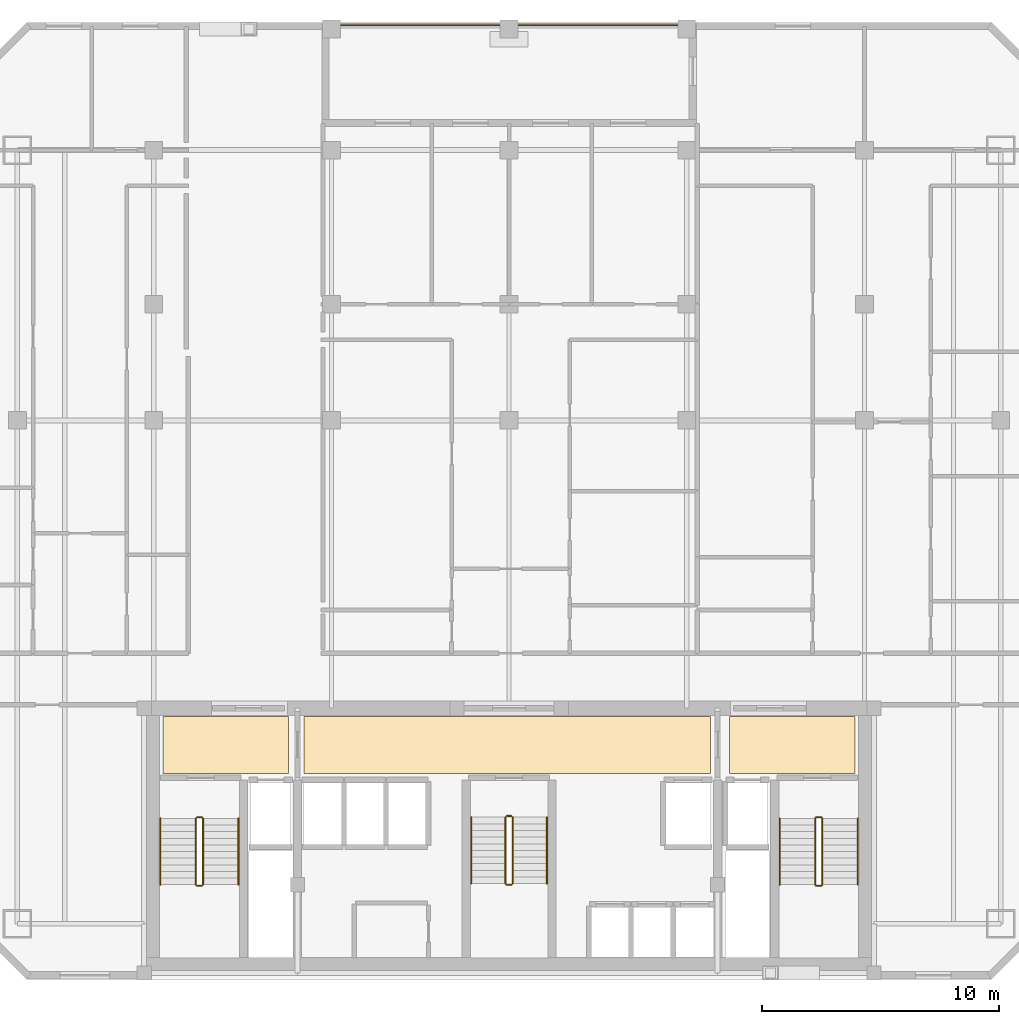
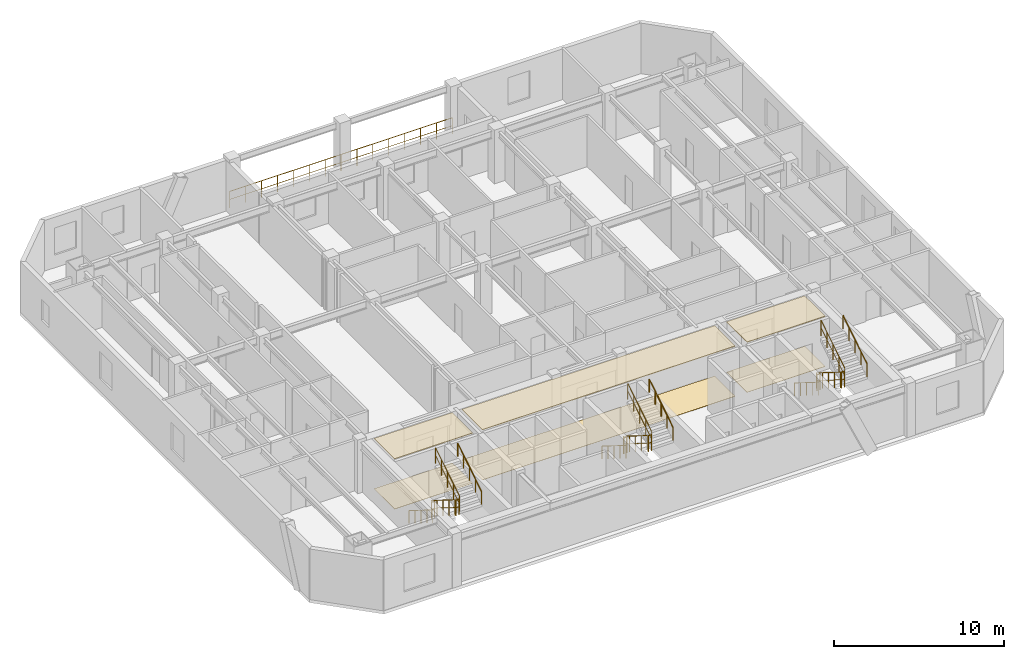
# One storey, part 8 of 8: 19 railings, 6 coverings.
"""IFC4 building model written with IfcOpenShell, lengths in metres."""

from ifc_helpers import new_model, si_unit, direction, frame, origin, origin_2d, place, context, subcontext, project, spatial, polyline, circle, outline, extrude, material, layer, layer_set, type_object, element, save


model = new_model("IFC4")

# Units and contexts
model_context = context("Model", 3, precision=1e-05, world=origin(), true_north=direction((0.0, 1.0)))
body_context = subcontext(model_context, "Body", "Model", "MODEL_VIEW")
ifc_project = project(units=[si_unit("LENGTHUNIT", "METRE"), si_unit("AREAUNIT", "SQUARE_METRE"), si_unit("VOLUMEUNIT", "CUBIC_METRE"), si_unit("PLANEANGLEUNIT", "RADIAN"), si_unit("MASSUNIT", "GRAM", prefix="KILO")], contexts=[model_context])

# Site, building, storey
site_placement = place(None, origin())
site = spatial("IfcSite", under=ifc_project, at=site_placement, CompositionType="ELEMENT")
building_placement = place(site_placement, origin())
building = spatial("IfcBuilding", under=site, at=building_placement, Name="Ventersveld Concourse Tower", CompositionType="ELEMENT")
storey_placement = place(building_placement, frame((0.0, 0.0, 192.60009765625)))
storey = spatial("IfcBuildingStorey", under=building, at=storey_placement, Name="L47", CompositionType="ELEMENT", Elevation=192.60009765625)

# Coverings
ifc_material_1 = material(Name="Mineral-fibre acoustic ceiling tile", Category="gypsum")
ifc_layer_1 = layer(ifc_material_1, 0.0400390625)
ifc_layer_set_1 = layer_set([ifc_layer_1], Name="Mineral-fibre acoustic ceiling tile")
covering_type_1 = type_object("IfcCoveringType", Name="COV-CEIL-ACOUSTIC", PredefinedType="CEILING", material=ifc_layer_set_1)
covering_1_placement = place(storey_placement, frame((0.0, 0.0, 3.58984375)))
element("IfcCovering", 1, at=covering_1_placement, inside=storey, type_object=covering_type_1, Name="L47 North Lift Lobby Acoustic Ceiling", PredefinedType="CEILING", context=body_context, shape_type="SweptSolid", body=[
    extrude(outline(polyline([(20.10009765625, 8.699951171875), (37.25, 8.699951171875), (37.25, 11.10009765625), (20.10009765625, 11.10009765625), (20.10009765625, 8.699951171875)])), origin(), (0.0, 0.0, 1.0), 0.0400390625),
])
covering_2_placement = place(storey_placement, frame((0.0, 0.0, 3.58984375)))
element("IfcCovering", 2, at=covering_2_placement, inside=storey, type_object=covering_type_1, Name="L47 West Firefighting Lobby Acoustic Ceiling", PredefinedType="CEILING", context=body_context, shape_type="SweptSolid", body=[
    extrude(outline(polyline([(14.14990234375, 8.699951171875), (19.449951171875, 8.699951171875), (19.449951171875, 11.10009765625), (14.14990234375, 11.10009765625), (14.14990234375, 8.699951171875)])), origin(), (0.0, 0.0, 1.0), 0.0400390625),
])
covering_3_placement = place(storey_placement, frame((0.0, 0.0, 3.58984375)))
element("IfcCovering", 3, at=covering_3_placement, inside=storey, type_object=covering_type_1, Name="L47 East Firefighting Lobby Acoustic Ceiling", PredefinedType="CEILING", context=body_context, shape_type="SweptSolid", body=[
    extrude(outline(polyline([(38.050048828125, 8.699951171875), (43.35009765625, 8.699951171875), (43.35009765625, 11.10009765625), (38.050048828125, 11.10009765625), (38.050048828125, 8.699951171875)])), origin(), (0.0, 0.0, 1.0), 0.0400390625),
])
ifc_material_2 = material(Name="Polished Highveld granite terrazzo", Category="masonry")
ifc_layer_2 = layer(ifc_material_2, 0.02001953125)
ifc_layer_set_2 = layer_set([ifc_layer_2], Name="Polished Highveld granite terrazzo")
covering_type_2 = type_object("IfcCoveringType", Name="COV-FLOOR-TERRAZZO", PredefinedType="FLOORING", material=ifc_layer_set_2)
covering_4_placement = place(storey_placement, origin())
element("IfcCovering", 4, at=covering_4_placement, inside=storey, type_object=covering_type_2, Name="L47 North Lift Lobby Terrazzo Flooring", PredefinedType="FLOORING", context=body_context, shape_type="SweptSolid", body=[
    extrude(outline(polyline([(20.10009765625, 8.699951171875), (37.25, 8.699951171875), (37.25, 11.10009765625), (20.10009765625, 11.10009765625), (20.10009765625, 8.699951171875)])), origin(), (0.0, 0.0, 1.0), 0.02001953125),
])
covering_5_placement = place(storey_placement, origin())
element("IfcCovering", 5, at=covering_5_placement, inside=storey, type_object=covering_type_2, Name="L47 West Firefighting Lobby Terrazzo Flooring", PredefinedType="FLOORING", context=body_context, shape_type="SweptSolid", body=[
    extrude(outline(polyline([(14.14990234375, 8.699951171875), (19.449951171875, 8.699951171875), (19.449951171875, 11.10009765625), (14.14990234375, 11.10009765625), (14.14990234375, 8.699951171875)])), origin(), (0.0, 0.0, 1.0), 0.02001953125),
])
covering_6_placement = place(storey_placement, origin())
element("IfcCovering", 6, at=covering_6_placement, inside=storey, type_object=covering_type_2, Name="L47 East Firefighting Lobby Terrazzo Flooring", PredefinedType="FLOORING", context=body_context, shape_type="SweptSolid", body=[
    extrude(outline(polyline([(38.050048828125, 8.699951171875), (43.35009765625, 8.699951171875), (43.35009765625, 11.10009765625), (38.050048828125, 11.10009765625), (38.050048828125, 8.699951171875)])), origin(), (0.0, 0.0, 1.0), 0.02001953125),
])

# Railings
ifc_material_3 = material(Name="Brushed stainless steel 316", Category="steel")
railing_type_1 = type_object("IfcRailingType", Name="GD-BAL-115", PredefinedType="GUARDRAIL", material=ifc_material_3)
railing_1_placement = place(storey_placement, frame((15.530029296875, 6.800048828125, 0.1748046875)))
element("IfcRailing", 7, at=railing_1_placement, inside=storey, type_object=railing_type_1, Name="L47 ST-01 stair guard 1", PredefinedType="GUARDRAIL", context=body_context, shape_type="SweptSolid", body=[
    extrude(circle(Radius=0.02392578125, at=origin_2d()), frame((0.0, 0.0, 1.1259765625), z_axis=(0.0, -0.848002457836, 0.529992293815), x_axis=(1.0, 0.0, 0.0)), (0.0, 0.0, 1.0), 3.302001953125),
    extrude(circle(Radius=0.01611328125, at=origin_2d()), frame((0.0, 0.0, 0.574951171875), z_axis=(0.0, -0.848002457836, 0.529992293815), x_axis=(1.0, 0.0, 0.0)), (0.0, 0.0, 1.0), 3.302001953125),
    extrude(circle(Radius=0.02099609375, at=origin_2d()), origin(), (0.0, 0.0, 1.0), 1.101806640625),
    extrude(circle(Radius=0.02099609375, at=origin_2d()), frame((0.0, -0.699951171875, 0.4375)), (0.0, 0.0, 1.0), 1.101806640625),
    extrude(circle(Radius=0.02099609375, at=origin_2d()), frame((0.0, -1.39990234375, 0.875)), (0.0, 0.0, 1.0), 1.101806640625),
    extrude(circle(Radius=0.02099609375, at=origin_2d()), frame((0.0, -2.10009765625, 1.3125)), (0.0, 0.0, 1.0), 1.101806640625),
    extrude(circle(Radius=0.02099609375, at=origin_2d()), frame((0.0, -2.800048828125, 1.75)), (0.0, 0.0, 1.0), 1.101806640625),
])
railing_2_placement = place(storey_placement, frame((15.580078125, 3.949951171875, 1.9248046875)))
element("IfcRailing", 8, at=railing_2_placement, inside=storey, type_object=railing_type_1, Name="L47 ST-01 stair guard 2", PredefinedType="GUARDRAIL", context=body_context, shape_type="SweptSolid", body=[
    extrude(circle(Radius=0.02392578125, at=origin_2d()), frame((0.0, 0.0, 1.1259765625), z_axis=(1.0, 0.0, 0.0), x_axis=(0.0, 1.0, 0.0)), (0.0, 0.0, 1.0), 0.199951171875),
    extrude(circle(Radius=0.01611328125, at=origin_2d()), frame((0.0, 0.0, 0.574951171875), z_axis=(1.0, 0.0, 0.0), x_axis=(0.0, 1.0, 0.0)), (0.0, 0.0, 1.0), 0.199951171875),
    extrude(circle(Radius=0.02099609375, at=origin_2d()), origin(), (0.0, 0.0, 1.0), 1.101806640625),
    extrude(circle(Radius=0.02099609375, at=origin_2d()), frame((0.199951171875, 0.0, 0.0)), (0.0, 0.0, 1.0), 1.101806640625),
])
railing_3_placement = place(storey_placement, frame((15.830078125, 4.0, 2.099853515625)))
element("IfcRailing", 9, at=railing_3_placement, inside=storey, type_object=railing_type_1, Name="L47 ST-01 stair guard 3", PredefinedType="GUARDRAIL", context=body_context, shape_type="SweptSolid", body=[
    extrude(circle(Radius=0.02392578125, at=origin_2d()), frame((0.0, 0.0, 1.1259765625), z_axis=(0.0, 0.848002457836, 0.529992293815), x_axis=(-1.0, 0.0, 0.0)), (0.0, 0.0, 1.0), 3.302001953125),
    extrude(circle(Radius=0.01611328125, at=origin_2d()), frame((0.0, 0.0, 0.574951171875), z_axis=(0.0, 0.848002457836, 0.529992293815), x_axis=(-1.0, 0.0, 0.0)), (0.0, 0.0, 1.0), 3.302001953125),
    extrude(circle(Radius=0.02099609375, at=origin_2d()), origin(), (0.0, 0.0, 1.0), 1.101806640625),
    extrude(circle(Radius=0.02099609375, at=origin_2d()), frame((0.0, 0.699951171875, 0.4375)), (0.0, 0.0, 1.0), 1.101806640625),
    extrude(circle(Radius=0.02099609375, at=origin_2d()), frame((0.0, 1.39990234375, 0.875)), (0.0, 0.0, 1.0), 1.101806640625),
    extrude(circle(Radius=0.02099609375, at=origin_2d()), frame((0.0, 2.10009765625, 1.3125)), (0.0, 0.0, 1.0), 1.101806640625),
    extrude(circle(Radius=0.02099609375, at=origin_2d()), frame((0.0, 2.800048828125, 1.75)), (0.0, 0.0, 1.0), 1.101806640625),
])
railing_4_placement = place(storey_placement, frame((15.580078125, 6.85009765625, 0.0)))
element("IfcRailing", 10, at=railing_4_placement, inside=storey, type_object=railing_type_1, Name="L47 ST-01 stair guard 4", PredefinedType="GUARDRAIL", context=body_context, shape_type="SweptSolid", body=[
    extrude(circle(Radius=0.02392578125, at=origin_2d()), frame((0.0, 0.0, 1.1259765625), z_axis=(1.0, 0.0, 0.0), x_axis=(0.0, 1.0, 0.0)), (0.0, 0.0, 1.0), 0.199951171875),
    extrude(circle(Radius=0.01611328125, at=origin_2d()), frame((0.0, 0.0, 0.574951171875), z_axis=(1.0, 0.0, 0.0), x_axis=(0.0, 1.0, 0.0)), (0.0, 0.0, 1.0), 0.199951171875),
    extrude(circle(Radius=0.02099609375, at=origin_2d()), origin(), (0.0, 0.0, 1.0), 1.101806640625),
    extrude(circle(Radius=0.02099609375, at=origin_2d()), frame((0.199951171875, 0.0, 0.0)), (0.0, 0.0, 1.0), 1.101806640625),
])
railing_5_placement = place(storey_placement, frame((41.669921875, 6.800048828125, 0.1748046875)))
element("IfcRailing", 11, at=railing_5_placement, inside=storey, type_object=railing_type_1, Name="L47 ST-02 stair guard 1", PredefinedType="GUARDRAIL", context=body_context, shape_type="SweptSolid", body=[
    extrude(circle(Radius=0.02392578125, at=origin_2d()), frame((0.0, 0.0, 1.1259765625), z_axis=(0.0, -0.848002457836, 0.529992293815), x_axis=(1.0, 0.0, 0.0)), (0.0, 0.0, 1.0), 3.302001953125),
    extrude(circle(Radius=0.01611328125, at=origin_2d()), frame((0.0, 0.0, 0.574951171875), z_axis=(0.0, -0.848002457836, 0.529992293815), x_axis=(1.0, 0.0, 0.0)), (0.0, 0.0, 1.0), 3.302001953125),
    extrude(circle(Radius=0.02099609375, at=origin_2d()), origin(), (0.0, 0.0, 1.0), 1.101806640625),
    extrude(circle(Radius=0.02099609375, at=origin_2d()), frame((0.0, -0.699951171875, 0.4375)), (0.0, 0.0, 1.0), 1.101806640625),
    extrude(circle(Radius=0.02099609375, at=origin_2d()), frame((0.0, -1.39990234375, 0.875)), (0.0, 0.0, 1.0), 1.101806640625),
    extrude(circle(Radius=0.02099609375, at=origin_2d()), frame((0.0, -2.10009765625, 1.3125)), (0.0, 0.0, 1.0), 1.101806640625),
    extrude(circle(Radius=0.02099609375, at=origin_2d()), frame((0.0, -2.800048828125, 1.75)), (0.0, 0.0, 1.0), 1.101806640625),
])
railing_6_placement = place(storey_placement, frame((41.719970703125, 3.949951171875, 1.9248046875)))
element("IfcRailing", 12, at=railing_6_placement, inside=storey, type_object=railing_type_1, Name="L47 ST-02 stair guard 2", PredefinedType="GUARDRAIL", context=body_context, shape_type="SweptSolid", body=[
    extrude(circle(Radius=0.02392578125, at=origin_2d()), frame((0.0, 0.0, 1.1259765625), z_axis=(1.0, 0.0, 0.0), x_axis=(0.0, 1.0, 0.0)), (0.0, 0.0, 1.0), 0.199951171875),
    extrude(circle(Radius=0.01611328125, at=origin_2d()), frame((0.0, 0.0, 0.574951171875), z_axis=(1.0, 0.0, 0.0), x_axis=(0.0, 1.0, 0.0)), (0.0, 0.0, 1.0), 0.199951171875),
    extrude(circle(Radius=0.02099609375, at=origin_2d()), origin(), (0.0, 0.0, 1.0), 1.101806640625),
    extrude(circle(Radius=0.02099609375, at=origin_2d()), frame((0.199951171875, 0.0, 0.0)), (0.0, 0.0, 1.0), 1.101806640625),
])
railing_7_placement = place(storey_placement, frame((41.969970703125, 4.0, 2.099853515625)))
element("IfcRailing", 13, at=railing_7_placement, inside=storey, type_object=railing_type_1, Name="L47 ST-02 stair guard 3", PredefinedType="GUARDRAIL", context=body_context, shape_type="SweptSolid", body=[
    extrude(circle(Radius=0.02392578125, at=origin_2d()), frame((0.0, 0.0, 1.1259765625), z_axis=(0.0, 0.848002457836, 0.529992293815), x_axis=(-1.0, 0.0, 0.0)), (0.0, 0.0, 1.0), 3.302001953125),
    extrude(circle(Radius=0.01611328125, at=origin_2d()), frame((0.0, 0.0, 0.574951171875), z_axis=(0.0, 0.848002457836, 0.529992293815), x_axis=(-1.0, 0.0, 0.0)), (0.0, 0.0, 1.0), 3.302001953125),
    extrude(circle(Radius=0.02099609375, at=origin_2d()), origin(), (0.0, 0.0, 1.0), 1.101806640625),
    extrude(circle(Radius=0.02099609375, at=origin_2d()), frame((0.0, 0.699951171875, 0.4375)), (0.0, 0.0, 1.0), 1.101806640625),
    extrude(circle(Radius=0.02099609375, at=origin_2d()), frame((0.0, 1.39990234375, 0.875)), (0.0, 0.0, 1.0), 1.101806640625),
    extrude(circle(Radius=0.02099609375, at=origin_2d()), frame((0.0, 2.10009765625, 1.3125)), (0.0, 0.0, 1.0), 1.101806640625),
    extrude(circle(Radius=0.02099609375, at=origin_2d()), frame((0.0, 2.800048828125, 1.75)), (0.0, 0.0, 1.0), 1.101806640625),
])
railing_8_placement = place(storey_placement, frame((41.719970703125, 6.85009765625, 0.0)))
element("IfcRailing", 14, at=railing_8_placement, inside=storey, type_object=railing_type_1, Name="L47 ST-02 stair guard 4", PredefinedType="GUARDRAIL", context=body_context, shape_type="SweptSolid", body=[
    extrude(circle(Radius=0.02392578125, at=origin_2d()), frame((0.0, 0.0, 1.1259765625), z_axis=(1.0, 0.0, 0.0), x_axis=(0.0, 1.0, 0.0)), (0.0, 0.0, 1.0), 0.199951171875),
    extrude(circle(Radius=0.01611328125, at=origin_2d()), frame((0.0, 0.0, 0.574951171875), z_axis=(1.0, 0.0, 0.0), x_axis=(0.0, 1.0, 0.0)), (0.0, 0.0, 1.0), 0.199951171875),
    extrude(circle(Radius=0.02099609375, at=origin_2d()), origin(), (0.0, 0.0, 1.0), 1.101806640625),
    extrude(circle(Radius=0.02099609375, at=origin_2d()), frame((0.199951171875, 0.0, 0.0)), (0.0, 0.0, 1.0), 1.101806640625),
])
railing_9_placement = place(storey_placement, frame((28.60009765625, 6.85009765625, 0.1748046875)))
element("IfcRailing", 15, at=railing_9_placement, inside=storey, type_object=railing_type_1, Name="L47 ST-03 stair guard 1", PredefinedType="GUARDRAIL", context=body_context, shape_type="SweptSolid", body=[
    extrude(circle(Radius=0.02392578125, at=origin_2d()), frame((0.0, 0.0, 1.1259765625), z_axis=(0.0, -0.848002457836, 0.529992293815), x_axis=(1.0, 0.0, 0.0)), (0.0, 0.0, 1.0), 3.302001953125),
    extrude(circle(Radius=0.01611328125, at=origin_2d()), frame((0.0, 0.0, 0.574951171875), z_axis=(0.0, -0.848002457836, 0.529992293815), x_axis=(1.0, 0.0, 0.0)), (0.0, 0.0, 1.0), 3.302001953125),
    extrude(circle(Radius=0.02099609375, at=origin_2d()), origin(), (0.0, 0.0, 1.0), 1.101806640625),
    extrude(circle(Radius=0.02099609375, at=origin_2d()), frame((0.0, -0.699951171875, 0.4375)), (0.0, 0.0, 1.0), 1.101806640625),
    extrude(circle(Radius=0.02099609375, at=origin_2d()), frame((0.0, -1.39990234375, 0.875)), (0.0, 0.0, 1.0), 1.101806640625),
    extrude(circle(Radius=0.02099609375, at=origin_2d()), frame((0.0, -2.10009765625, 1.3125)), (0.0, 0.0, 1.0), 1.101806640625),
    extrude(circle(Radius=0.02099609375, at=origin_2d()), frame((0.0, -2.800048828125, 1.75)), (0.0, 0.0, 1.0), 1.101806640625),
])
railing_10_placement = place(storey_placement, frame((28.64990234375, 4.0, 1.9248046875)))
element("IfcRailing", 16, at=railing_10_placement, inside=storey, type_object=railing_type_1, Name="L47 ST-03 stair guard 2", PredefinedType="GUARDRAIL", context=body_context, shape_type="SweptSolid", body=[
    extrude(circle(Radius=0.02392578125, at=origin_2d()), frame((0.0, 0.0, 1.1259765625), z_axis=(1.0, 0.0, 0.0), x_axis=(0.0, 1.0, 0.0)), (0.0, 0.0, 1.0), 0.2001953125),
    extrude(circle(Radius=0.01611328125, at=origin_2d()), frame((0.0, 0.0, 0.574951171875), z_axis=(1.0, 0.0, 0.0), x_axis=(0.0, 1.0, 0.0)), (0.0, 0.0, 1.0), 0.2001953125),
    extrude(circle(Radius=0.02099609375, at=origin_2d()), origin(), (0.0, 0.0, 1.0), 1.101806640625),
    extrude(circle(Radius=0.02099609375, at=origin_2d()), frame((0.2001953125, 0.0, 0.0)), (0.0, 0.0, 1.0), 1.101806640625),
])
railing_11_placement = place(storey_placement, frame((28.89990234375, 4.050048828125, 2.099853515625)))
element("IfcRailing", 17, at=railing_11_placement, inside=storey, type_object=railing_type_1, Name="L47 ST-03 stair guard 3", PredefinedType="GUARDRAIL", context=body_context, shape_type="SweptSolid", body=[
    extrude(circle(Radius=0.02392578125, at=origin_2d()), frame((0.0, 0.0, 1.1259765625), z_axis=(0.0, 0.848002457836, 0.529992293815), x_axis=(-1.0, 0.0, 0.0)), (0.0, 0.0, 1.0), 3.302001953125),
    extrude(circle(Radius=0.01611328125, at=origin_2d()), frame((0.0, 0.0, 0.574951171875), z_axis=(0.0, 0.848002457836, 0.529992293815), x_axis=(-1.0, 0.0, 0.0)), (0.0, 0.0, 1.0), 3.302001953125),
    extrude(circle(Radius=0.02099609375, at=origin_2d()), origin(), (0.0, 0.0, 1.0), 1.101806640625),
    extrude(circle(Radius=0.02099609375, at=origin_2d()), frame((0.0, 0.699951171875, 0.4375)), (0.0, 0.0, 1.0), 1.101806640625),
    extrude(circle(Radius=0.02099609375, at=origin_2d()), frame((0.0, 1.39990234375, 0.875)), (0.0, 0.0, 1.0), 1.101806640625),
    extrude(circle(Radius=0.02099609375, at=origin_2d()), frame((0.0, 2.10009765625, 1.3125)), (0.0, 0.0, 1.0), 1.101806640625),
    extrude(circle(Radius=0.02099609375, at=origin_2d()), frame((0.0, 2.800048828125, 1.75)), (0.0, 0.0, 1.0), 1.101806640625),
])
railing_12_placement = place(storey_placement, frame((28.64990234375, 6.89990234375, 0.0)))
element("IfcRailing", 18, at=railing_12_placement, inside=storey, type_object=railing_type_1, Name="L47 ST-03 stair guard 4", PredefinedType="GUARDRAIL", context=body_context, shape_type="SweptSolid", body=[
    extrude(circle(Radius=0.02392578125, at=origin_2d()), frame((0.0, 0.0, 1.1259765625), z_axis=(1.0, 0.0, 0.0), x_axis=(0.0, 1.0, 0.0)), (0.0, 0.0, 1.0), 0.2001953125),
    extrude(circle(Radius=0.01611328125, at=origin_2d()), frame((0.0, 0.0, 0.574951171875), z_axis=(1.0, 0.0, 0.0), x_axis=(0.0, 1.0, 0.0)), (0.0, 0.0, 1.0), 0.2001953125),
    extrude(circle(Radius=0.02099609375, at=origin_2d()), origin(), (0.0, 0.0, 1.0), 1.101806640625),
    extrude(circle(Radius=0.02099609375, at=origin_2d()), frame((0.2001953125, 0.0, 0.0)), (0.0, 0.0, 1.0), 1.101806640625),
])
railing_type_2 = type_object("IfcRailingType", Name="GD-TER-120", PredefinedType="GUARDRAIL", material=ifc_material_3)
railing_13_placement = place(storey_placement, frame((21.199951171875, 40.280029296875, 0.0)))
element("IfcRailing", 19, at=railing_13_placement, inside=storey, type_object=railing_type_2, Name="L47 Outdoor Terrace Guardrail NOTCH-N", PredefinedType="GUARDRAIL", context=body_context, shape_type="SweptSolid", body=[
    extrude(circle(Radius=0.02392578125, at=origin_2d()), frame((0.0, 0.0, 1.17578125), z_axis=(1.0, 0.0, 0.0), x_axis=(0.0, 1.0, 0.0)), (0.0, 0.0, 1.0), 15.10009765625),
    extrude(circle(Radius=0.01611328125, at=origin_2d()), frame((0.0, 0.0, 0.60009765625), z_axis=(1.0, 0.0, 0.0), x_axis=(0.0, 1.0, 0.0)), (0.0, 0.0, 1.0), 15.10009765625),
    extrude(circle(Radius=0.02099609375, at=origin_2d()), origin(), (0.0, 0.0, 1.0), 1.15185546875),
    extrude(circle(Radius=0.02099609375, at=origin_2d()), frame((1.07861328125, 0.0, 0.0)), (0.0, 0.0, 1.0), 1.15185546875),
    extrude(circle(Radius=0.02099609375, at=origin_2d()), frame((2.1572265625, 0.0, 0.0)), (0.0, 0.0, 1.0), 1.15185546875),
    extrude(circle(Radius=0.02099609375, at=origin_2d()), frame((3.23583984375, 0.0, 0.0)), (0.0, 0.0, 1.0), 1.15185546875),
    extrude(circle(Radius=0.02099609375, at=origin_2d()), frame((4.314208984375, 0.0, 0.0)), (0.0, 0.0, 1.0), 1.15185546875),
    extrude(circle(Radius=0.02099609375, at=origin_2d()), frame((5.392822265625, 0.0, 0.0)), (0.0, 0.0, 1.0), 1.15185546875),
    extrude(circle(Radius=0.02099609375, at=origin_2d()), frame((6.471435546875, 0.0, 0.0)), (0.0, 0.0, 1.0), 1.15185546875),
    extrude(circle(Radius=0.02099609375, at=origin_2d()), frame((7.550048828125, 0.0, 0.0)), (0.0, 0.0, 1.0), 1.15185546875),
    extrude(circle(Radius=0.02099609375, at=origin_2d()), frame((8.628662109375, 0.0, 0.0)), (0.0, 0.0, 1.0), 1.15185546875),
    extrude(circle(Radius=0.02099609375, at=origin_2d()), frame((9.707275390625, 0.0, 0.0)), (0.0, 0.0, 1.0), 1.15185546875),
    extrude(circle(Radius=0.02099609375, at=origin_2d()), frame((10.785888671875, 0.0, 0.0)), (0.0, 0.0, 1.0), 1.15185546875),
    extrude(circle(Radius=0.02099609375, at=origin_2d()), frame((11.8642578125, 0.0, 0.0)), (0.0, 0.0, 1.0), 1.15185546875),
    extrude(circle(Radius=0.02099609375, at=origin_2d()), frame((12.94287109375, 0.0, 0.0)), (0.0, 0.0, 1.0), 1.15185546875),
    extrude(circle(Radius=0.02099609375, at=origin_2d()), frame((14.021484375, 0.0, 0.0)), (0.0, 0.0, 1.0), 1.15185546875),
    extrude(circle(Radius=0.02099609375, at=origin_2d()), frame((15.10009765625, 0.0, 0.0)), (0.0, 0.0, 1.0), 1.15185546875),
])
railing_type_3 = type_object("IfcRailingType", Name="HR-RMP-095", PredefinedType="HANDRAIL", material=ifc_material_3)
railing_14_placement = place(storey_placement, frame((14.030029296875, 6.800048828125, 0.1748046875)))
element("IfcRailing", 20, at=railing_14_placement, inside=storey, type_object=railing_type_3, Name="L47 ST-01 stair handrail 1", PredefinedType="HANDRAIL", context=body_context, shape_type="SweptSolid", body=[
    extrude(circle(Radius=0.02392578125, at=origin_2d()), frame((0.0, 0.0, 0.92578125), z_axis=(0.0, -0.848002457836, 0.529992293815), x_axis=(1.0, 0.0, 0.0)), (0.0, 0.0, 1.0), 3.302001953125),
    extrude(circle(Radius=0.02099609375, at=origin_2d()), origin(), (0.0, 0.0, 1.0), 0.90185546875),
    extrude(circle(Radius=0.02099609375, at=origin_2d()), frame((0.0, -0.699951171875, 0.4375)), (0.0, 0.0, 1.0), 0.90185546875),
    extrude(circle(Radius=0.02099609375, at=origin_2d()), frame((0.0, -1.39990234375, 0.875)), (0.0, 0.0, 1.0), 0.90185546875),
    extrude(circle(Radius=0.02099609375, at=origin_2d()), frame((0.0, -2.10009765625, 1.3125)), (0.0, 0.0, 1.0), 0.90185546875),
    extrude(circle(Radius=0.02099609375, at=origin_2d()), frame((0.0, -2.800048828125, 1.75)), (0.0, 0.0, 1.0), 0.90185546875),
])
railing_15_placement = place(storey_placement, frame((17.330078125, 4.0, 2.099853515625)))
element("IfcRailing", 21, at=railing_15_placement, inside=storey, type_object=railing_type_3, Name="L47 ST-01 stair handrail 2", PredefinedType="HANDRAIL", context=body_context, shape_type="SweptSolid", body=[
    extrude(circle(Radius=0.02392578125, at=origin_2d()), frame((0.0, 0.0, 0.92578125), z_axis=(0.0, 0.848002457836, 0.529992293815), x_axis=(-1.0, 0.0, 0.0)), (0.0, 0.0, 1.0), 3.302001953125),
    extrude(circle(Radius=0.02099609375, at=origin_2d()), origin(), (0.0, 0.0, 1.0), 0.90185546875),
    extrude(circle(Radius=0.02099609375, at=origin_2d()), frame((0.0, 0.699951171875, 0.4375)), (0.0, 0.0, 1.0), 0.90185546875),
    extrude(circle(Radius=0.02099609375, at=origin_2d()), frame((0.0, 1.39990234375, 0.875)), (0.0, 0.0, 1.0), 0.90185546875),
    extrude(circle(Radius=0.02099609375, at=origin_2d()), frame((0.0, 2.10009765625, 1.3125)), (0.0, 0.0, 1.0), 0.90185546875),
    extrude(circle(Radius=0.02099609375, at=origin_2d()), frame((0.0, 2.800048828125, 1.75)), (0.0, 0.0, 1.0), 0.90185546875),
])
railing_16_placement = place(storey_placement, frame((40.169921875, 6.800048828125, 0.1748046875)))
element("IfcRailing", 22, at=railing_16_placement, inside=storey, type_object=railing_type_3, Name="L47 ST-02 stair handrail 1", PredefinedType="HANDRAIL", context=body_context, shape_type="SweptSolid", body=[
    extrude(circle(Radius=0.02392578125, at=origin_2d()), frame((0.0, 0.0, 0.92578125), z_axis=(0.0, -0.848002457836, 0.529992293815), x_axis=(1.0, 0.0, 0.0)), (0.0, 0.0, 1.0), 3.302001953125),
    extrude(circle(Radius=0.02099609375, at=origin_2d()), origin(), (0.0, 0.0, 1.0), 0.90185546875),
    extrude(circle(Radius=0.02099609375, at=origin_2d()), frame((0.0, -0.699951171875, 0.4375)), (0.0, 0.0, 1.0), 0.90185546875),
    extrude(circle(Radius=0.02099609375, at=origin_2d()), frame((0.0, -1.39990234375, 0.875)), (0.0, 0.0, 1.0), 0.90185546875),
    extrude(circle(Radius=0.02099609375, at=origin_2d()), frame((0.0, -2.10009765625, 1.3125)), (0.0, 0.0, 1.0), 0.90185546875),
    extrude(circle(Radius=0.02099609375, at=origin_2d()), frame((0.0, -2.800048828125, 1.75)), (0.0, 0.0, 1.0), 0.90185546875),
])
railing_17_placement = place(storey_placement, frame((43.469970703125, 4.0, 2.099853515625)))
element("IfcRailing", 23, at=railing_17_placement, inside=storey, type_object=railing_type_3, Name="L47 ST-02 stair handrail 2", PredefinedType="HANDRAIL", context=body_context, shape_type="SweptSolid", body=[
    extrude(circle(Radius=0.02392578125, at=origin_2d()), frame((0.0, 0.0, 0.92578125), z_axis=(0.0, 0.848002457836, 0.529992293815), x_axis=(-1.0, 0.0, 0.0)), (0.0, 0.0, 1.0), 3.302001953125),
    extrude(circle(Radius=0.02099609375, at=origin_2d()), origin(), (0.0, 0.0, 1.0), 0.90185546875),
    extrude(circle(Radius=0.02099609375, at=origin_2d()), frame((0.0, 0.699951171875, 0.4375)), (0.0, 0.0, 1.0), 0.90185546875),
    extrude(circle(Radius=0.02099609375, at=origin_2d()), frame((0.0, 1.39990234375, 0.875)), (0.0, 0.0, 1.0), 0.90185546875),
    extrude(circle(Radius=0.02099609375, at=origin_2d()), frame((0.0, 2.10009765625, 1.3125)), (0.0, 0.0, 1.0), 0.90185546875),
    extrude(circle(Radius=0.02099609375, at=origin_2d()), frame((0.0, 2.800048828125, 1.75)), (0.0, 0.0, 1.0), 0.90185546875),
])
railing_18_placement = place(storey_placement, frame((27.14990234375, 6.85009765625, 0.1748046875)))
element("IfcRailing", 24, at=railing_18_placement, inside=storey, type_object=railing_type_3, Name="L47 ST-03 stair handrail 1", PredefinedType="HANDRAIL", context=body_context, shape_type="SweptSolid", body=[
    extrude(circle(Radius=0.02392578125, at=origin_2d()), frame((0.0, 0.0, 0.92578125), z_axis=(0.0, -0.848002457836, 0.529992293815), x_axis=(1.0, 0.0, 0.0)), (0.0, 0.0, 1.0), 3.302001953125),
    extrude(circle(Radius=0.02099609375, at=origin_2d()), origin(), (0.0, 0.0, 1.0), 0.90185546875),
    extrude(circle(Radius=0.02099609375, at=origin_2d()), frame((0.0, -0.699951171875, 0.4375)), (0.0, 0.0, 1.0), 0.90185546875),
    extrude(circle(Radius=0.02099609375, at=origin_2d()), frame((0.0, -1.39990234375, 0.875)), (0.0, 0.0, 1.0), 0.90185546875),
    extrude(circle(Radius=0.02099609375, at=origin_2d()), frame((0.0, -2.10009765625, 1.3125)), (0.0, 0.0, 1.0), 0.90185546875),
    extrude(circle(Radius=0.02099609375, at=origin_2d()), frame((0.0, -2.800048828125, 1.75)), (0.0, 0.0, 1.0), 0.90185546875),
])
railing_19_placement = place(storey_placement, frame((30.35009765625, 4.050048828125, 2.099853515625)))
element("IfcRailing", 25, at=railing_19_placement, inside=storey, type_object=railing_type_3, Name="L47 ST-03 stair handrail 2", PredefinedType="HANDRAIL", context=body_context, shape_type="SweptSolid", body=[
    extrude(circle(Radius=0.02392578125, at=origin_2d()), frame((0.0, 0.0, 0.92578125), z_axis=(0.0, 0.848002457836, 0.529992293815), x_axis=(-1.0, 0.0, 0.0)), (0.0, 0.0, 1.0), 3.302001953125),
    extrude(circle(Radius=0.02099609375, at=origin_2d()), origin(), (0.0, 0.0, 1.0), 0.90185546875),
    extrude(circle(Radius=0.02099609375, at=origin_2d()), frame((0.0, 0.699951171875, 0.4375)), (0.0, 0.0, 1.0), 0.90185546875),
    extrude(circle(Radius=0.02099609375, at=origin_2d()), frame((0.0, 1.39990234375, 0.875)), (0.0, 0.0, 1.0), 0.90185546875),
    extrude(circle(Radius=0.02099609375, at=origin_2d()), frame((0.0, 2.10009765625, 1.3125)), (0.0, 0.0, 1.0), 0.90185546875),
    extrude(circle(Radius=0.02099609375, at=origin_2d()), frame((0.0, 2.800048828125, 1.75)), (0.0, 0.0, 1.0), 0.90185546875),
])

save(model, "model.ifc")
